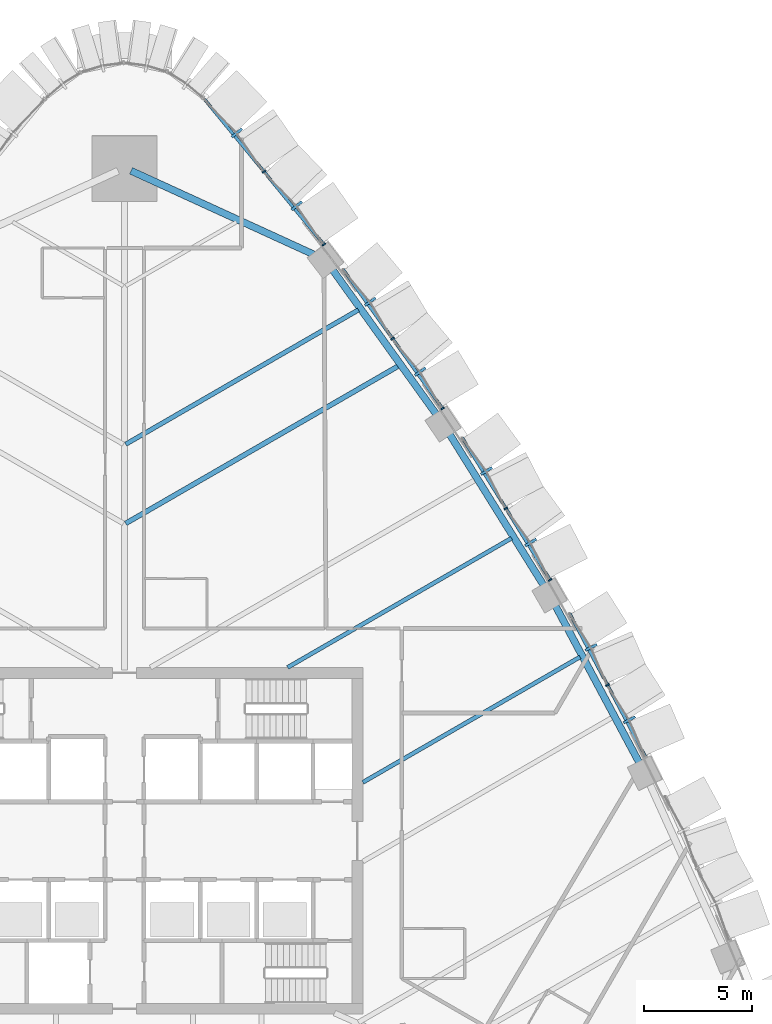
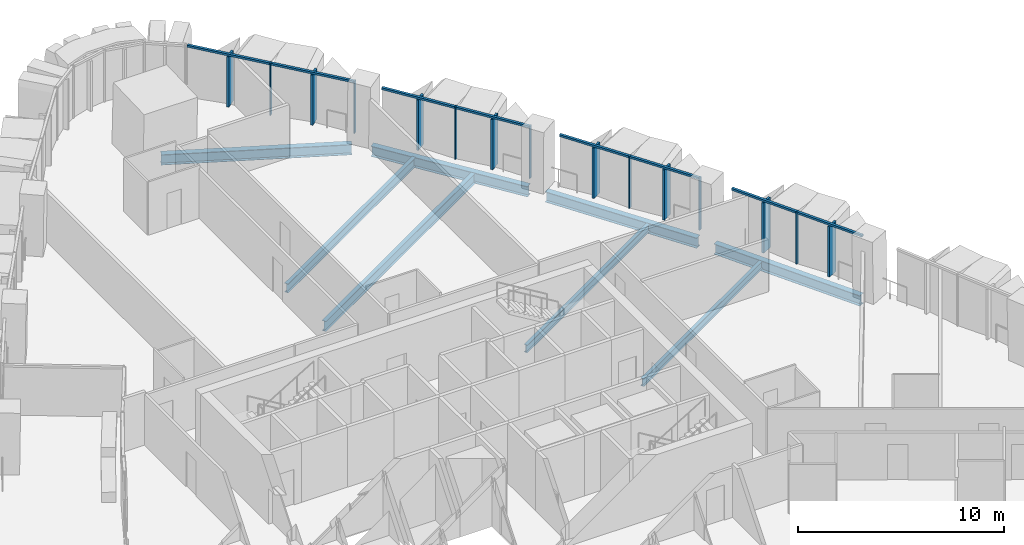
# One storey, part 8 of 24: 23 members, 8 beams, 4 elements without a shape of their own.
"""IFC4 building model written with IfcOpenShell, lengths in metres."""

from ifc_helpers import new_model, si_unit, direction, frame, origin, origin_2d, place, context, subcontext, project, spatial, rectangle, i_section, extrude, material, layer, layer_set, material_profile, profile_set, type_object, element, aggregate, save


model = new_model("IFC4")

# Units and contexts
model_context = context("Model", 3, precision=1e-05, world=origin(), true_north=direction((0.0, 1.0)))
body_context = subcontext(model_context, "Body", "Model", "MODEL_VIEW")
ifc_project = project(units=[si_unit("LENGTHUNIT", "METRE"), si_unit("AREAUNIT", "SQUARE_METRE"), si_unit("VOLUMEUNIT", "CUBIC_METRE"), si_unit("PLANEANGLEUNIT", "RADIAN"), si_unit("MASSUNIT", "GRAM", prefix="KILO")], contexts=[model_context])

# Site, building, storey
site_placement = place(None, origin())
site = spatial("IfcSite", under=ifc_project, at=site_placement, CompositionType="ELEMENT")
building_placement = place(site_placement, origin())
building = spatial("IfcBuilding", under=site, at=building_placement, Name="Sierra Prisma Convention Tower", CompositionType="ELEMENT")
storey_placement = place(building_placement, frame((0.0, 0.0, 59.10009765625)))
storey = spatial("IfcBuildingStorey", under=building, at=storey_placement, Name="L10", CompositionType="ELEMENT", Elevation=59.10009765625)

# Curtain wall, members
ifc_material_1 = material(Name="Aluminium and glass curtain wall", Category="aluminium")
ifc_layer = layer(ifc_material_1, 0.179931640625)
ifc_layer_set = layer_set([ifc_layer], Name="CW-2 Faceted crystal curtain wall")
curtain_wall_type = type_object("IfcCurtainWallType", Name="CW-2 Faceted crystal curtain wall", PredefinedType="NOTDEFINED", material=ifc_layer_set)
curtain_wall_1_placement = place(storey_placement, origin())
curtain_wall_1 = element("IfcCurtainWall", 1, at=curtain_wall_1_placement, inside=storey, type_object=curtain_wall_type, Name="CW-2 NE3 L10", PredefinedType="NOTDEFINED")
ifc_material_2 = material(Name="Aluminium 6063-T6 bronze anodised", Category="aluminium")
ifc_material_profile_1 = material_profile(ifc_material_2, rectangle(XDim=0.1201171875, YDim=0.60009765625, at=origin_2d()), Name="ALU RIDGE BLADE 120x600")
ifc_profile_set_1 = profile_set([ifc_material_profile_1], Name="Aluminium 6063-T6 bronze anodised")
member_type_1 = type_object("IfcMemberType", Name="CW hip bronze", PredefinedType="MULLION", material=ifc_profile_set_1)
member_1_placement = place(storey_placement, frame((23.30712890625, 5.586181640625, 0.0), z_axis=(0.0, 0.0, 1.0), x_axis=(-0.467449148254, 0.884019962329, 0.0)))
member_1 = element("IfcMember", 2, at=member_1_placement, type_object=member_type_1, Name="CW-2 ridge NE3.1", PredefinedType="MULLION", context=body_context, shape_type="SweptSolid", body=[
    extrude(rectangle(XDim=0.1201171875, YDim=0.60009765625, at=origin_2d()), origin(), (0.0, 0.0, 1.0), 2.97998046875),
])
member_2_placement = place(storey_placement, frame((21.540771484375, 8.9267578125, 0.0), z_axis=(0.0, 0.0, 1.0), x_axis=(-0.467449148254, 0.884019962329, 0.0)))
member_2 = element("IfcMember", 3, at=member_2_placement, type_object=member_type_1, Name="CW-2 ridge NE3.2", PredefinedType="MULLION", context=body_context, shape_type="SweptSolid", body=[
    extrude(rectangle(XDim=0.1201171875, YDim=0.60009765625, at=origin_2d()), origin(), (0.0, 0.0, 1.0), 2.97998046875),
])

curtain_wall_2_placement = place(storey_placement, origin())
curtain_wall_2 = element("IfcCurtainWall", 4, at=curtain_wall_2_placement, inside=storey, type_object=curtain_wall_type, Name="CW-2 NE4 L10", PredefinedType="NOTDEFINED")
member_3_placement = place(storey_placement, frame((18.751708984375, 13.77001953125, 0.0), z_axis=(0.0, 0.0, 1.0), x_axis=(-0.525734302002, 0.850648836888, 0.0)))
member_3 = element("IfcMember", 5, at=member_3_placement, type_object=member_type_1, Name="CW-2 ridge NE4.1", PredefinedType="MULLION", context=body_context, shape_type="SweptSolid", body=[
    extrude(rectangle(XDim=0.1201171875, YDim=0.60009765625, at=origin_2d()), origin(), (0.0, 0.0, 1.0), 2.97998046875),
])
member_4_placement = place(storey_placement, frame((16.710693359375, 17.072509765625, 0.0), z_axis=(0.0, 0.0, 1.0), x_axis=(-0.525734302002, 0.850648836888, 0.0)))
member_4 = element("IfcMember", 6, at=member_4_placement, type_object=member_type_1, Name="CW-2 ridge NE4.2", PredefinedType="MULLION", context=body_context, shape_type="SweptSolid", body=[
    extrude(rectangle(XDim=0.1201171875, YDim=0.60009765625, at=origin_2d()), origin(), (0.0, 0.0, 1.0), 2.97998046875),
])

curtain_wall_3_placement = place(storey_placement, origin())
curtain_wall_3 = element("IfcCurtainWall", 7, at=curtain_wall_3_placement, inside=storey, type_object=curtain_wall_type, Name="CW-2 NE5 L10", PredefinedType="NOTDEFINED")
member_5_placement = place(storey_placement, frame((13.650634765625, 21.656005859375, 0.0), z_axis=(0.0, 0.0, 1.0), x_axis=(-0.581647978122, 0.813440612182, 0.0)))
member_5 = element("IfcMember", 8, at=member_5_placement, type_object=member_type_1, Name="CW-2 ridge NE5.1", PredefinedType="MULLION", context=body_context, shape_type="SweptSolid", body=[
    extrude(rectangle(XDim=0.1201171875, YDim=0.60009765625, at=origin_2d()), origin(), (0.0, 0.0, 1.0), 2.97998046875),
])
member_6_placement = place(storey_placement, frame((11.34228515625, 24.884033203125, 0.0), z_axis=(0.0, 0.0, 1.0), x_axis=(-0.581647978122, 0.813440612182, 0.0)))
member_6 = element("IfcMember", 9, at=member_6_placement, type_object=member_type_1, Name="CW-2 ridge NE5.2", PredefinedType="MULLION", context=body_context, shape_type="SweptSolid", body=[
    extrude(rectangle(XDim=0.1201171875, YDim=0.60009765625, at=origin_2d()), origin(), (0.0, 0.0, 1.0), 2.97998046875),
])

curtain_wall_4_placement = place(storey_placement, origin())
curtain_wall_4 = element("IfcCurtainWall", 10, at=curtain_wall_4_placement, inside=storey, type_object=curtain_wall_type, Name="CW-2 NE6 L10", PredefinedType="NOTDEFINED")
member_7_placement = place(storey_placement, frame((7.94970703125, 29.31298828125, 0.0), z_axis=(0.0, 0.0, 1.0), x_axis=(-0.634937961683, 0.77256312675, 0.0)))
member_7 = element("IfcMember", 11, at=member_7_placement, type_object=member_type_1, Name="CW-2 ridge NE6.1", PredefinedType="MULLION", context=body_context, shape_type="SweptSolid", body=[
    extrude(rectangle(XDim=0.1201171875, YDim=0.60009765625, at=origin_2d()), origin(), (0.0, 0.0, 1.0), 2.97998046875),
])
member_8_placement = place(storey_placement, frame((5.186279296875, 32.675537109375, 0.0), z_axis=(0.0, 0.0, 1.0), x_axis=(-0.634937961683, 0.77256312675, 0.0)))
member_8 = element("IfcMember", 12, at=member_8_placement, type_object=member_type_1, Name="CW-2 ridge NE6.2", PredefinedType="MULLION", context=body_context, shape_type="SweptSolid", body=[
    extrude(rectangle(XDim=0.1201171875, YDim=0.60009765625, at=origin_2d()), origin(), (0.0, 0.0, 1.0), 2.97998046875),
])

# Member
ifc_material_3 = material(Name="Aluminium 6063-T6 bronze anodised", Category="aluminium")
ifc_material_profile_2 = material_profile(ifc_material_3, rectangle(XDim=0.179931640625, YDim=0.070068359375, at=origin_2d()), Name="ALU MULLION 70x180")
ifc_profile_set_2 = profile_set([ifc_material_profile_2], Name="Aluminium 6063-T6 bronze anodised")
member_type_2 = type_object("IfcMemberType", Name="CW mullion bronze", PredefinedType="MULLION", material=ifc_profile_set_2)
member_9_placement = place(storey_placement, frame((22.294921875, 7.188232421875, 0.0), z_axis=(0.0, 0.0, 1.0), x_axis=(-0.884019962329, -0.467449148254, 0.0)))
member_9 = element("IfcMember", 13, at=member_9_placement, type_object=member_type_2, Name="CW-1 mullion NE3.2", PredefinedType="MULLION", context=body_context, shape_type="SweptSolid", body=[
    extrude(rectangle(XDim=0.179931640625, YDim=0.070068359375, at=origin_2d()), origin(), (0.0, 0.0, 1.0), 3.099853515625),
])

member_10_placement = place(storey_placement, frame((19.64453125, 12.0400390625, 0.0), z_axis=(0.0, 0.0, 1.0), x_axis=(-0.850648836888, -0.525734302002, 0.0)))
member_10 = element("IfcMember", 14, at=member_10_placement, type_object=member_type_2, Name="CW-1 mullion NE4.1", PredefinedType="MULLION", context=body_context, shape_type="SweptSolid", body=[
    extrude(rectangle(XDim=0.179931640625, YDim=0.070068359375, at=origin_2d()), origin(), (0.0, 0.0, 1.0), 3.099853515625),
])

member_11_placement = place(storey_placement, frame((17.603759765625, 15.34228515625, 0.0), z_axis=(0.0, 0.0, 1.0), x_axis=(-0.850648836888, -0.525734302002, 0.0)))
member_11 = element("IfcMember", 15, at=member_11_placement, type_object=member_type_2, Name="CW-1 mullion NE4.2", PredefinedType="MULLION", context=body_context, shape_type="SweptSolid", body=[
    extrude(rectangle(XDim=0.179931640625, YDim=0.070068359375, at=origin_2d()), origin(), (0.0, 0.0, 1.0), 3.099853515625),
])

member_12_placement = place(storey_placement, frame((14.679931640625, 19.95263671875, 0.0), z_axis=(0.0, 0.0, 1.0), x_axis=(-0.813440612182, -0.581647978122, 0.0)))
member_12 = element("IfcMember", 16, at=member_12_placement, type_object=member_type_2, Name="CW-1 mullion NE5.1", PredefinedType="MULLION", context=body_context, shape_type="SweptSolid", body=[
    extrude(rectangle(XDim=0.179931640625, YDim=0.070068359375, at=origin_2d()), origin(), (0.0, 0.0, 1.0), 3.099853515625),
])

member_13_placement = place(storey_placement, frame((12.37158203125, 23.1806640625, 0.0), z_axis=(0.0, 0.0, 1.0), x_axis=(-0.813440612182, -0.581647978122, 0.0)))
member_13 = element("IfcMember", 17, at=member_13_placement, type_object=member_type_2, Name="CW-1 mullion NE5.2", PredefinedType="MULLION", context=body_context, shape_type="SweptSolid", body=[
    extrude(rectangle(XDim=0.179931640625, YDim=0.070068359375, at=origin_2d()), origin(), (0.0, 0.0, 1.0), 3.099853515625),
])

member_14_placement = place(storey_placement, frame((9.201416015625, 27.52490234375, 0.0), z_axis=(0.0, 0.0, 1.0), x_axis=(-0.77256312675, -0.634937961683, 0.0)))
member_14 = element("IfcMember", 18, at=member_14_placement, type_object=member_type_2, Name="CW-1 mullion NE6.1", PredefinedType="MULLION", context=body_context, shape_type="SweptSolid", body=[
    extrude(rectangle(XDim=0.179931640625, YDim=0.070068359375, at=origin_2d()), origin(), (0.0, 0.0, 1.0), 3.099853515625),
])

member_15_placement = place(storey_placement, frame((6.437744140625, 30.887451171875, 0.0), z_axis=(0.0, 0.0, 1.0), x_axis=(-0.77256312675, -0.634937961683, 0.0)))
member_15 = element("IfcMember", 19, at=member_15_placement, type_object=member_type_2, Name="CW-1 mullion NE6.2", PredefinedType="MULLION", context=body_context, shape_type="SweptSolid", body=[
    extrude(rectangle(XDim=0.179931640625, YDim=0.070068359375, at=origin_2d()), origin(), (0.0, 0.0, 1.0), 3.099853515625),
])

ifc_material_4 = material(Name="Aluminium 6063-T6 bronze anodised", Category="aluminium")
ifc_material_profile_3 = material_profile(ifc_material_4, rectangle(XDim=0.139892578125, YDim=0.1201171875, at=origin_2d()), Name="ALU TRANSOM 120x140")
ifc_profile_set_3 = profile_set([ifc_material_profile_3], Name="Aluminium 6063-T6 bronze anodised")
member_type_3 = type_object("IfcMemberType", Name="CW transom bronze", PredefinedType="USERDEFINED", material=ifc_profile_set_3)
member_16_placement = place(storey_placement, frame((24.045166015625, 3.87841796875, 3.039794921875), z_axis=(-0.467476363702, 0.884005570899, 0.0), x_axis=(-0.884005570899, -0.467476363702, 0.0)))
member_16 = element("IfcMember", 20, at=member_16_placement, type_object=member_type_3, Name="CW-1 transom NE3.1", ObjectType="TRANSOM", PredefinedType="USERDEFINED", context=body_context, shape_type="SweptSolid", body=[
    extrude(rectangle(XDim=0.139892578125, YDim=0.1201171875, at=origin_2d()), origin(), (0.0, 0.0, 1.0), 3.708984375),
])

member_17_placement = place(storey_placement, frame((22.278564453125, 7.21923828125, 3.039794921875), z_axis=(-0.467476363702, 0.884005570899, 0.0), x_axis=(-0.884005570899, -0.467476363702, 0.0)))
member_17 = element("IfcMember", 21, at=member_17_placement, type_object=member_type_3, Name="CW-1 transom NE3.2", ObjectType="TRANSOM", PredefinedType="USERDEFINED", context=body_context, shape_type="SweptSolid", body=[
    extrude(rectangle(XDim=0.139892578125, YDim=0.1201171875, at=origin_2d()), origin(), (0.0, 0.0, 1.0), 3.708984375),
])

aggregate(curtain_wall_1, [member_9, member_16, member_1, member_17, member_2])

member_18_placement = place(storey_placement, frame((19.626220703125, 12.06982421875, 3.039794921875), z_axis=(-0.525743743444, 0.850643001635, 0.0), x_axis=(-0.850643001635, -0.525743743444, 0.0)))
member_18 = element("IfcMember", 22, at=member_18_placement, type_object=member_type_3, Name="CW-1 transom NE4.1", ObjectType="TRANSOM", PredefinedType="USERDEFINED", context=body_context, shape_type="SweptSolid", body=[
    extrude(rectangle(XDim=0.139892578125, YDim=0.1201171875, at=origin_2d()), origin(), (0.0, 0.0, 1.0), 3.81201171875),
])

member_19_placement = place(storey_placement, frame((17.585205078125, 15.3720703125, 3.039794921875), z_axis=(-0.525715102576, 0.850660702585, 0.0), x_axis=(-0.850660702585, -0.525715102576, 0.0)))
member_19 = element("IfcMember", 23, at=member_19_placement, type_object=member_type_3, Name="CW-1 transom NE4.2", ObjectType="TRANSOM", PredefinedType="USERDEFINED", context=body_context, shape_type="SweptSolid", body=[
    extrude(rectangle(XDim=0.139892578125, YDim=0.1201171875, at=origin_2d()), origin(), (0.0, 0.0, 1.0), 3.812255859375),
])

aggregate(curtain_wall_2, [member_10, member_11, member_18, member_3, member_19, member_4])

member_20_placement = place(storey_placement, frame((14.659423828125, 19.981201171875, 3.039794921875), z_axis=(-0.581658717466, 0.813432932943, 0.0), x_axis=(-0.813432932943, -0.581658717466, 0.0)))
member_20 = element("IfcMember", 24, at=member_20_placement, type_object=member_type_3, Name="CW-1 transom NE5.1", ObjectType="TRANSOM", PredefinedType="USERDEFINED", context=body_context, shape_type="SweptSolid", body=[
    extrude(rectangle(XDim=0.139892578125, YDim=0.1201171875, at=origin_2d()), origin(), (0.0, 0.0, 1.0), 3.8984375),
])

member_21_placement = place(storey_placement, frame((12.351318359375, 23.209228515625, 3.039794921875), z_axis=(-0.581658717466, 0.813432932943, 0.0), x_axis=(-0.813432932943, -0.581658717466, 0.0)))
member_21 = element("IfcMember", 25, at=member_21_placement, type_object=member_type_3, Name="CW-1 transom NE5.2", ObjectType="TRANSOM", PredefinedType="USERDEFINED", context=body_context, shape_type="SweptSolid", body=[
    extrude(rectangle(XDim=0.139892578125, YDim=0.1201171875, at=origin_2d()), origin(), (0.0, 0.0, 1.0), 3.8984375),
])

aggregate(curtain_wall_3, [member_12, member_13, member_20, member_5, member_21, member_6])

member_22_placement = place(storey_placement, frame((9.17919921875, 27.552001953125, 3.039794921875), z_axis=(-0.634971600874, 0.772535478851, 0.0), x_axis=(-0.772535478851, -0.634971600874, 0.0)))
member_22 = element("IfcMember", 26, at=member_22_placement, type_object=member_type_3, Name="CW-1 transom NE6.1", ObjectType="TRANSOM", PredefinedType="USERDEFINED", context=body_context, shape_type="SweptSolid", body=[
    extrude(rectangle(XDim=0.139892578125, YDim=0.1201171875, at=origin_2d()), origin(), (0.0, 0.0, 1.0), 4.282470703125),
])

member_23_placement = place(storey_placement, frame((6.41552734375, 30.914306640625, 3.039794921875), z_axis=(-0.634937575137, 0.772563444436, 0.0), x_axis=(-0.772563444436, -0.634937575137, 0.0)))
member_23 = element("IfcMember", 27, at=member_23_placement, type_object=member_type_3, Name="CW-1 transom NE6.2", ObjectType="TRANSOM", PredefinedType="USERDEFINED", context=body_context, shape_type="SweptSolid", body=[
    extrude(rectangle(XDim=0.139892578125, YDim=0.1201171875, at=origin_2d()), origin(), (0.0, 0.0, 1.0), 4.2822265625),
])

aggregate(curtain_wall_4, [member_14, member_15, member_22, member_7, member_23, member_8])

# Beams
ifc_material_5 = material(Name="Steel ASTM A992 Gr 50", Category="steel")
ifc_material_profile_4 = material_profile(ifc_material_5, i_section(OverallWidth=0.18994140625, OverallDepth=0.45703125, WebThickness=0.009033203125, FlangeThickness=0.014404296875, at=origin_2d()), Name="W460x74")
ifc_profile_set_4 = profile_set([ifc_material_profile_4], Name="Steel ASTM A992 Gr 50")
beam_type_1 = type_object("IfcBeamType", Name="Floor joist W460x74", PredefinedType="JOIST", material=ifc_profile_set_4)
beam_1_placement = place(storey_placement, frame((21.02490234375, 8.484130859375, -0.378662109375), z_axis=(-0.866026835339, -0.499997520466, 0.0), x_axis=(0.499997520466, -0.866026835339, 0.0)))
element("IfcBeam", 28, at=beam_1_placement, inside=storey, type_object=beam_type_1, Name="Floor joist L10 NE08", PredefinedType="JOIST", context=body_context, shape_type="SweptSolid", body=[
    extrude(i_section(OverallWidth=0.18994140625, OverallDepth=0.45703125, WebThickness=0.009033203125, FlangeThickness=0.014404296875, at=origin_2d()), origin(), (0.0, 0.0, 1.0), 11.57568359375),
])
beam_2_placement = place(storey_placement, frame((17.85986328125, 13.966064453125, -0.378662109375), z_axis=(-0.866019646029, -0.500009972593, 0.0), x_axis=(0.500009972593, -0.866019646029, 0.0)))
element("IfcBeam", 29, at=beam_2_placement, inside=storey, type_object=beam_type_1, Name="Floor joist L10 NE10", PredefinedType="JOIST", context=body_context, shape_type="SweptSolid", body=[
    extrude(i_section(OverallWidth=0.18994140625, OverallDepth=0.45703125, WebThickness=0.009033203125, FlangeThickness=0.014404296875, at=origin_2d()), origin(), (0.0, 0.0, 1.0), 11.931884765625),
])
ifc_material_6 = material(Name="Steel ASTM A992 Gr 50", Category="steel")
ifc_material_profile_5 = material_profile(ifc_material_6, i_section(OverallWidth=0.208984375, OverallDepth=0.532958984375, WebThickness=0.01025390625, FlangeThickness=0.015625, at=origin_2d()), Name="W530x92")
ifc_profile_set_5 = profile_set([ifc_material_profile_5], Name="Steel ASTM A992 Gr 50")
beam_type_2 = type_object("IfcBeamType", Name="Floor joist W530x92", PredefinedType="JOIST", material=ifc_profile_set_5)
beam_3_placement = place(storey_placement, frame((10.7939453125, 24.504638671875, -0.41650390625), z_axis=(-0.866029879506, -0.499992247743, 0.0), x_axis=(0.499992247743, -0.866029879506, 0.0)))
element("IfcBeam", 30, at=beam_3_placement, inside=storey, type_object=beam_type_2, Name="Floor joist L10 NE14", PredefinedType="JOIST", context=body_context, shape_type="SweptSolid", body=[
    extrude(i_section(OverallWidth=0.208984375, OverallDepth=0.532958984375, WebThickness=0.01025390625, FlangeThickness=0.015625, at=origin_2d()), origin(), (0.0, 0.0, 1.0), 12.402587890625),
])
ifc_material_7 = material(Name="Steel ASTM A992 Gr 50", Category="steel")
ifc_material_profile_6 = material_profile(ifc_material_7, i_section(OverallWidth=0.22802734375, OverallDepth=0.60302734375, WebThickness=0.010498046875, FlangeThickness=0.014892578125, at=origin_2d()), Name="W610x101")
ifc_profile_set_6 = profile_set([ifc_material_profile_6], Name="Steel ASTM A992 Gr 50")
beam_type_3 = type_object("IfcBeamType", Name="Floor joist W610x101", PredefinedType="JOIST", material=ifc_profile_set_6)
beam_4_placement = place(storey_placement, frame((12.6484375, 21.9208984375, -0.45166015625), z_axis=(-0.866025968837, -0.499999021298, 0.0), x_axis=(0.499999021298, -0.866025968837, 0.0)))
element("IfcBeam", 31, at=beam_4_placement, inside=storey, type_object=beam_type_3, Name="Floor joist L10 NE13", PredefinedType="JOIST", context=body_context, shape_type="SweptSolid", body=[
    extrude(i_section(OverallWidth=0.22802734375, OverallDepth=0.60302734375, WebThickness=0.010498046875, FlangeThickness=0.014892578125, at=origin_2d()), origin(), (0.0, 0.0, 1.0), 14.5439453125),
])
ifc_material_8 = material(Name="Steel ASTM A992 Gr 50", Category="steel")
ifc_material_profile_7 = material_profile(ifc_material_8, i_section(OverallWidth=0.324951171875, OverallDepth=0.615966796875, WebThickness=0.013916015625, FlangeThickness=0.021484375, at=origin_2d()), Name="W610x174")
ifc_profile_set_7 = profile_set([ifc_material_profile_7], Name="Steel ASTM A992 Gr 50")
beam_type_4 = type_object("IfcBeamType", Name="Spandrel beam W610x174", PredefinedType="BEAM", material=ifc_profile_set_7)
beam_5_placement = place(storey_placement, frame((23.794677734375, 3.537353515625, -0.4580078125), z_axis=(-0.471143014348, 0.882056834921, 0.0), x_axis=(-0.882056834921, -0.471143014348, 0.0)))
element("IfcBeam", 32, at=beam_5_placement, inside=storey, type_object=beam_type_4, Name="Spandrel L10-09", PredefinedType="BEAM", context=body_context, shape_type="SweptSolid", body=[
    extrude(i_section(OverallWidth=0.324951171875, OverallDepth=0.615966796875, WebThickness=0.013916015625, FlangeThickness=0.021484375, at=origin_2d()), origin(), (0.0, 0.0, 1.0), 8.3583984375),
])
beam_6_placement = place(storey_placement, frame((19.37646484375, 11.741455078125, -0.4580078125), z_axis=(-0.528285976844, 0.84906650309, 0.0), x_axis=(-0.84906650309, -0.528285976844, 0.0)))
element("IfcBeam", 33, at=beam_6_placement, inside=storey, type_object=beam_type_4, Name="Spandrel L10-10", PredefinedType="BEAM", context=body_context, shape_type="SweptSolid", body=[
    extrude(i_section(OverallWidth=0.324951171875, OverallDepth=0.615966796875, WebThickness=0.013916015625, FlangeThickness=0.021484375, at=origin_2d()), origin(), (0.0, 0.0, 1.0), 8.358154296875),
])
beam_7_placement = place(storey_placement, frame((14.427001953125, 19.63623046875, -0.4580078125), z_axis=(-0.583104476356, 0.812397174818, 0.0), x_axis=(-0.812397174818, -0.583104476356, 0.0)))
element("IfcBeam", 34, at=beam_7_placement, inside=storey, type_object=beam_type_4, Name="Spandrel L10-11", PredefinedType="BEAM", context=body_context, shape_type="SweptSolid", body=[
    extrude(i_section(OverallWidth=0.324951171875, OverallDepth=0.615966796875, WebThickness=0.013916015625, FlangeThickness=0.021484375, at=origin_2d()), origin(), (0.0, 0.0, 1.0), 8.3583984375),
])
beam_8_placement = place(storey_placement, frame((8.765380859375, 27.04931640625, -0.4580078125), z_axis=(-0.90917651973, 0.416410922012, 0.0), x_axis=(-0.416410922012, -0.90917651973, 0.0)))
element("IfcBeam", 35, at=beam_8_placement, inside=storey, type_object=beam_type_4, Name="Spandrel L10-12", PredefinedType="BEAM", context=body_context, shape_type="SweptSolid", body=[
    extrude(i_section(OverallWidth=0.324951171875, OverallDepth=0.615966796875, WebThickness=0.013916015625, FlangeThickness=0.021484375, at=origin_2d()), origin(), (0.0, 0.0, 1.0), 9.31103515625),
])

save(model, "model.ifc")
